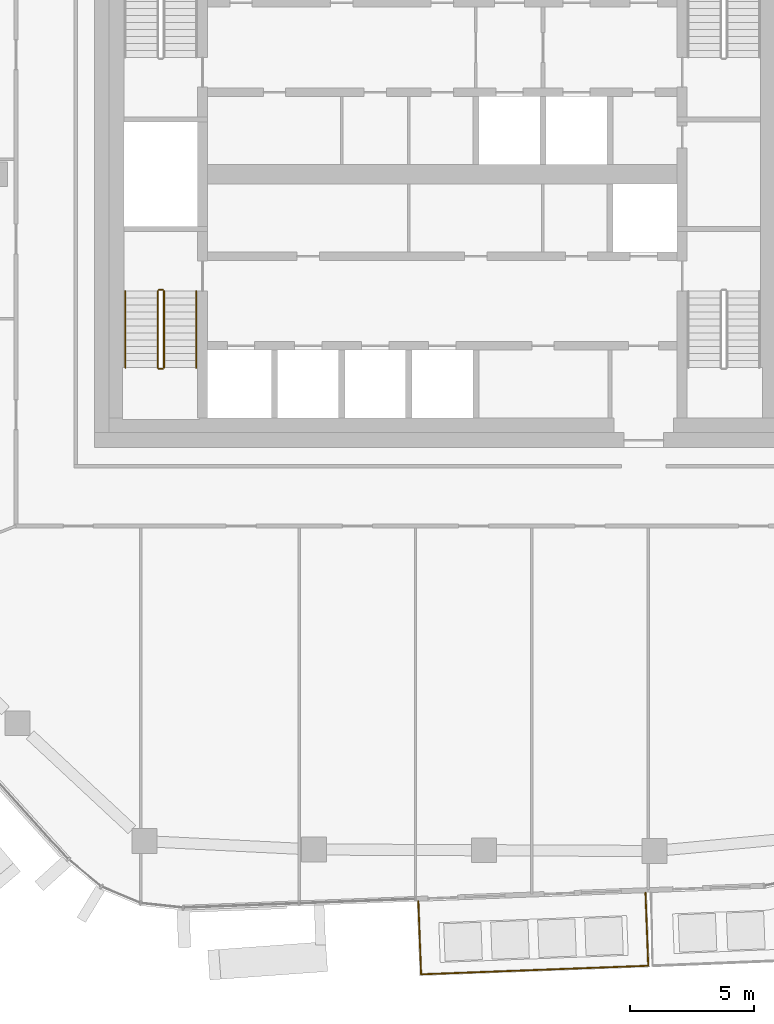
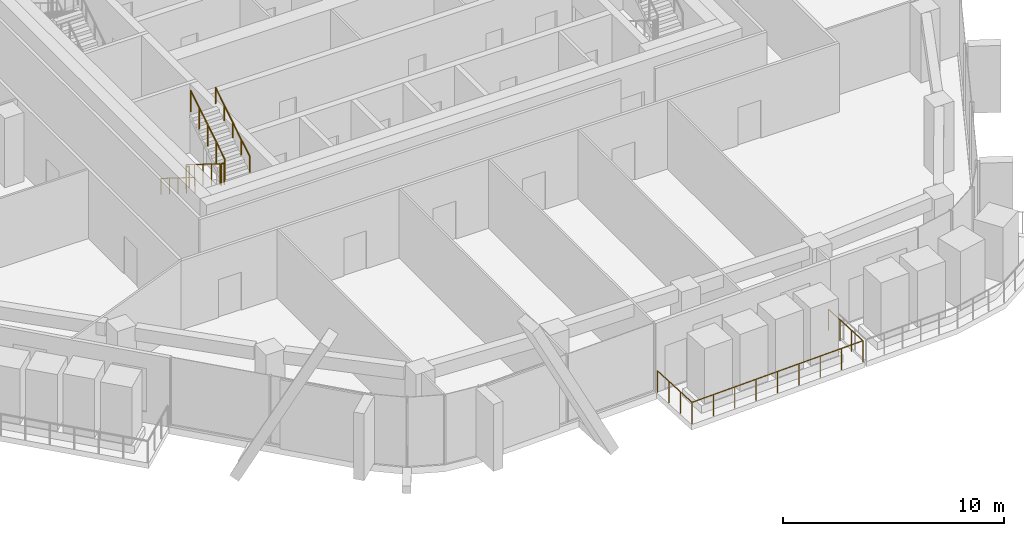
# One storey, part 19 of 24: 7 railings.
"""IFC4 building model written with IfcOpenShell, lengths in metres."""

from ifc_helpers import new_model, si_unit, direction, frame, origin, origin_2d, place, context, subcontext, project, spatial, circle, extrude, material, type_object, element, save


model = new_model("IFC4")

# Units and contexts
model_context = context("Model", 3, precision=1e-05, world=origin(), true_north=direction((0.0, 1.0)))
body_context = subcontext(model_context, "Body", "Model", "MODEL_VIEW")
ifc_project = project(units=[si_unit("LENGTHUNIT", "METRE"), si_unit("AREAUNIT", "SQUARE_METRE"), si_unit("VOLUMEUNIT", "CUBIC_METRE"), si_unit("PLANEANGLEUNIT", "RADIAN"), si_unit("MASSUNIT", "GRAM", prefix="KILO")], contexts=[model_context])

# Site, building, storey
site_placement = place(None, origin())
site = spatial("IfcSite", under=ifc_project, at=site_placement, CompositionType="ELEMENT")
building_placement = place(site_placement, origin())
building = spatial("IfcBuilding", under=site, at=building_placement, Name="Dongbaek Canopy Tower", CompositionType="ELEMENT")
storey_placement = place(building_placement, frame((0.0, 0.0, 311.0)))
storey = spatial("IfcBuildingStorey", under=building, at=storey_placement, Name="L66", CompositionType="ELEMENT", Elevation=311.0)

# Railings
ifc_material_1 = material(Name="Stainless steel", Category="steel")
railing_type_1 = type_object("IfcRailingType", Name="Balcony balustrade 1200", PredefinedType="BALUSTRADE", material=ifc_material_1)
railing_1_placement = place(storey_placement, frame((-0.96533203125, -29.251220703125, 0.0)))
element("IfcRailing", 1, at=railing_1_placement, inside=storey, type_object=railing_type_1, Name="Balcony guard L66 4", PredefinedType="BALUSTRADE", context=body_context, shape_type="SweptSolid", body=[
    extrude(circle(Radius=0.02392578125, at=origin_2d()), frame((0.0, 0.0, 1.17578125), z_axis=(0.037782543052, -0.999285984811, 0.0), x_axis=(0.999285984811, 0.037782543052, 0.0)), (0.0, 0.0, 1.0), 2.940185546875),
    extrude(circle(Radius=0.02392578125, at=origin_2d()), frame((0.111083984375, -2.93798828125, 1.17578125), z_axis=(0.999288287765, 0.03772158449, 0.0), x_axis=(-0.03772158449, 0.999288287765, 0.0)), (0.0, 0.0, 1.0), 9.145263671875),
    extrude(circle(Radius=0.02392578125, at=origin_2d()), frame((9.249755859375, -2.593017578125, 1.17578125), z_axis=(-0.037699622645, 0.999289116549, 0.0), x_axis=(-0.999289116549, -0.037699622645, 0.0)), (0.0, 0.0, 1.0), 2.940185546875),
    extrude(circle(Radius=0.02099609375, at=origin_2d()), origin(), (0.0, 0.0, 1.0), 1.15185546875),
    extrude(circle(Radius=0.02099609375, at=origin_2d()), frame((0.037109375, -0.979248046875, 0.0)), (0.0, 0.0, 1.0), 1.15185546875),
    extrude(circle(Radius=0.02099609375, at=origin_2d()), frame((0.073974609375, -1.958740234375, 0.0)), (0.0, 0.0, 1.0), 1.15185546875),
    extrude(circle(Radius=0.02099609375, at=origin_2d()), frame((0.111083984375, -2.93798828125, 0.0)), (0.0, 0.0, 1.0), 1.15185546875),
    extrude(circle(Radius=0.02099609375, at=origin_2d()), frame((1.25341796875, -2.894775390625, 0.0)), (0.0, 0.0, 1.0), 1.15185546875),
    extrude(circle(Radius=0.02099609375, at=origin_2d()), frame((2.395751953125, -2.851806640625, 0.0)), (0.0, 0.0, 1.0), 1.15185546875),
    extrude(circle(Radius=0.02099609375, at=origin_2d()), frame((3.5380859375, -2.80859375, 0.0)), (0.0, 0.0, 1.0), 1.15185546875),
    extrude(circle(Radius=0.02099609375, at=origin_2d()), frame((4.680419921875, -2.765625, 0.0)), (0.0, 0.0, 1.0), 1.15185546875),
    extrude(circle(Radius=0.02099609375, at=origin_2d()), frame((5.82275390625, -2.722412109375, 0.0)), (0.0, 0.0, 1.0), 1.15185546875),
    extrude(circle(Radius=0.02099609375, at=origin_2d()), frame((6.965087890625, -2.67919921875, 0.0)), (0.0, 0.0, 1.0), 1.15185546875),
    extrude(circle(Radius=0.02099609375, at=origin_2d()), frame((8.107421875, -2.63623046875, 0.0)), (0.0, 0.0, 1.0), 1.15185546875),
    extrude(circle(Radius=0.02099609375, at=origin_2d()), frame((9.249755859375, -2.593017578125, 0.0)), (0.0, 0.0, 1.0), 1.15185546875),
    extrude(circle(Radius=0.02099609375, at=origin_2d()), frame((9.212890625, -1.61376953125, 0.0)), (0.0, 0.0, 1.0), 1.15185546875),
    extrude(circle(Radius=0.02099609375, at=origin_2d()), frame((9.17578125, -0.63427734375, 0.0)), (0.0, 0.0, 1.0), 1.15185546875),
    extrude(circle(Radius=0.02099609375, at=origin_2d()), frame((9.138916015625, 0.344970703125, 0.0)), (0.0, 0.0, 1.0), 1.15185546875),
])
ifc_material_2 = material(Name="Stainless steel tube and balusters", Category="steel")
railing_type_2 = type_object("IfcRailingType", Name="Stair guard 1200", PredefinedType="GUARDRAIL", material=ifc_material_2)
railing_2_placement = place(storey_placement, frame((-11.449951171875, -4.699951171875, 0.175048828125)))
element("IfcRailing", 2, at=railing_2_placement, inside=storey, type_object=railing_type_2, Name="L66 ST-D stair guard 1", PredefinedType="GUARDRAIL", context=body_context, shape_type="SweptSolid", body=[
    extrude(circle(Radius=0.02392578125, at=origin_2d()), frame((0.0, 0.0, 1.17578125), z_axis=(0.0, -0.847998304005, 0.529998940003), x_axis=(1.0, 0.0, 0.0)), (0.0, 0.0, 1.0), 3.632080078125),
    extrude(circle(Radius=0.02099609375, at=origin_2d()), origin(), (0.0, 0.0, 1.0), 1.15185546875),
    extrude(circle(Radius=0.02099609375, at=origin_2d()), frame((0.0, -0.77001953125, 0.481201171875)), (0.0, 0.0, 1.0), 1.15185546875),
    extrude(circle(Radius=0.02099609375, at=origin_2d()), frame((0.0, -1.5400390625, 0.96240234375)), (0.0, 0.0, 1.0), 1.15185546875),
    extrude(circle(Radius=0.02099609375, at=origin_2d()), frame((0.0, -2.31005859375, 1.44384765625)), (0.0, 0.0, 1.0), 1.15185546875),
    extrude(circle(Radius=0.02099609375, at=origin_2d()), frame((0.0, -3.080078125, 1.925048828125)), (0.0, 0.0, 1.0), 1.15185546875),
])
railing_3_placement = place(storey_placement, frame((-11.39990234375, -7.830078125, 2.10009765625)))
element("IfcRailing", 3, at=railing_3_placement, inside=storey, type_object=railing_type_2, Name="L66 ST-D stair guard 2", PredefinedType="GUARDRAIL", context=body_context, shape_type="SweptSolid", body=[
    extrude(circle(Radius=0.02392578125, at=origin_2d()), frame((0.0, 0.0, 1.17578125), z_axis=(1.0, 0.0, 0.0), x_axis=(0.0, 1.0, 0.0)), (0.0, 0.0, 1.0), 0.14990234375),
    extrude(circle(Radius=0.02099609375, at=origin_2d()), origin(), (0.0, 0.0, 1.0), 1.15185546875),
    extrude(circle(Radius=0.02099609375, at=origin_2d()), frame((0.14990234375, 0.0, 0.0)), (0.0, 0.0, 1.0), 1.15185546875),
])
railing_4_placement = place(storey_placement, frame((-11.199951171875, -7.780029296875, 2.27490234375)))
element("IfcRailing", 4, at=railing_4_placement, inside=storey, type_object=railing_type_2, Name="L66 ST-D stair guard 3", PredefinedType="GUARDRAIL", context=body_context, shape_type="SweptSolid", body=[
    extrude(circle(Radius=0.02392578125, at=origin_2d()), frame((0.0, 0.0, 1.17578125), z_axis=(0.0, 0.847998304005, 0.529998940003), x_axis=(-1.0, 0.0, 0.0)), (0.0, 0.0, 1.0), 3.632080078125),
    extrude(circle(Radius=0.02099609375, at=origin_2d()), origin(), (0.0, 0.0, 1.0), 1.15185546875),
    extrude(circle(Radius=0.02099609375, at=origin_2d()), frame((0.0, 0.77001953125, 0.481201171875)), (0.0, 0.0, 1.0), 1.15185546875),
    extrude(circle(Radius=0.02099609375, at=origin_2d()), frame((0.0, 1.5400390625, 0.96240234375)), (0.0, 0.0, 1.0), 1.15185546875),
    extrude(circle(Radius=0.02099609375, at=origin_2d()), frame((0.0, 2.31005859375, 1.44384765625)), (0.0, 0.0, 1.0), 1.15185546875),
    extrude(circle(Radius=0.02099609375, at=origin_2d()), frame((0.0, 3.080078125, 1.925048828125)), (0.0, 0.0, 1.0), 1.15185546875),
])
railing_5_placement = place(storey_placement, frame((-11.39990234375, -4.64990234375, 0.0)))
element("IfcRailing", 5, at=railing_5_placement, inside=storey, type_object=railing_type_2, Name="L66 ST-D stair guard 4", PredefinedType="GUARDRAIL", context=body_context, shape_type="SweptSolid", body=[
    extrude(circle(Radius=0.02392578125, at=origin_2d()), frame((0.0, 0.0, 1.17578125), z_axis=(1.0, 0.0, 0.0), x_axis=(0.0, 1.0, 0.0)), (0.0, 0.0, 1.0), 0.14990234375),
    extrude(circle(Radius=0.02099609375, at=origin_2d()), origin(), (0.0, 0.0, 1.0), 1.15185546875),
    extrude(circle(Radius=0.02099609375, at=origin_2d()), frame((0.14990234375, 0.0, 0.0)), (0.0, 0.0, 1.0), 1.15185546875),
])
ifc_material_3 = material(Name="Stainless steel tube", Category="steel")
railing_type_3 = type_object("IfcRailingType", Name="Stair handrail 900", PredefinedType="HANDRAIL", material=ifc_material_3)
railing_6_placement = place(storey_placement, frame((-12.75, -4.699951171875, 0.175048828125)))
element("IfcRailing", 6, at=railing_6_placement, inside=storey, type_object=railing_type_3, Name="L66 ST-D stair handrail 1", PredefinedType="HANDRAIL", context=body_context, shape_type="SweptSolid", body=[
    extrude(circle(Radius=0.02392578125, at=origin_2d()), frame((0.0, 0.0, 0.8759765625), z_axis=(0.0, -0.847998304005, 0.529998940003), x_axis=(1.0, 0.0, 0.0)), (0.0, 0.0, 1.0), 3.632080078125),
    extrude(circle(Radius=0.02099609375, at=origin_2d()), origin(), (0.0, 0.0, 1.0), 0.851806640625),
    extrude(circle(Radius=0.02099609375, at=origin_2d()), frame((0.0, -0.77001953125, 0.481201171875)), (0.0, 0.0, 1.0), 0.851806640625),
    extrude(circle(Radius=0.02099609375, at=origin_2d()), frame((0.0, -1.5400390625, 0.96240234375)), (0.0, 0.0, 1.0), 0.851806640625),
    extrude(circle(Radius=0.02099609375, at=origin_2d()), frame((0.0, -2.31005859375, 1.44384765625)), (0.0, 0.0, 1.0), 0.851806640625),
    extrude(circle(Radius=0.02099609375, at=origin_2d()), frame((0.0, -3.080078125, 1.925048828125)), (0.0, 0.0, 1.0), 0.851806640625),
])
railing_7_placement = place(storey_placement, frame((-9.89990234375, -7.780029296875, 2.27490234375)))
element("IfcRailing", 7, at=railing_7_placement, inside=storey, type_object=railing_type_3, Name="L66 ST-D stair handrail 2", PredefinedType="HANDRAIL", context=body_context, shape_type="SweptSolid", body=[
    extrude(circle(Radius=0.02392578125, at=origin_2d()), frame((0.0, 0.0, 0.8759765625), z_axis=(0.0, 0.847998304005, 0.529998940003), x_axis=(-1.0, 0.0, 0.0)), (0.0, 0.0, 1.0), 3.632080078125),
    extrude(circle(Radius=0.02099609375, at=origin_2d()), origin(), (0.0, 0.0, 1.0), 0.851806640625),
    extrude(circle(Radius=0.02099609375, at=origin_2d()), frame((0.0, 0.77001953125, 0.481201171875)), (0.0, 0.0, 1.0), 0.851806640625),
    extrude(circle(Radius=0.02099609375, at=origin_2d()), frame((0.0, 1.5400390625, 0.96240234375)), (0.0, 0.0, 1.0), 0.851806640625),
    extrude(circle(Radius=0.02099609375, at=origin_2d()), frame((0.0, 2.31005859375, 1.44384765625)), (0.0, 0.0, 1.0), 0.851806640625),
    extrude(circle(Radius=0.02099609375, at=origin_2d()), frame((0.0, 3.080078125, 1.925048828125)), (0.0, 0.0, 1.0), 0.851806640625),
])

save(model, "model.ifc")
